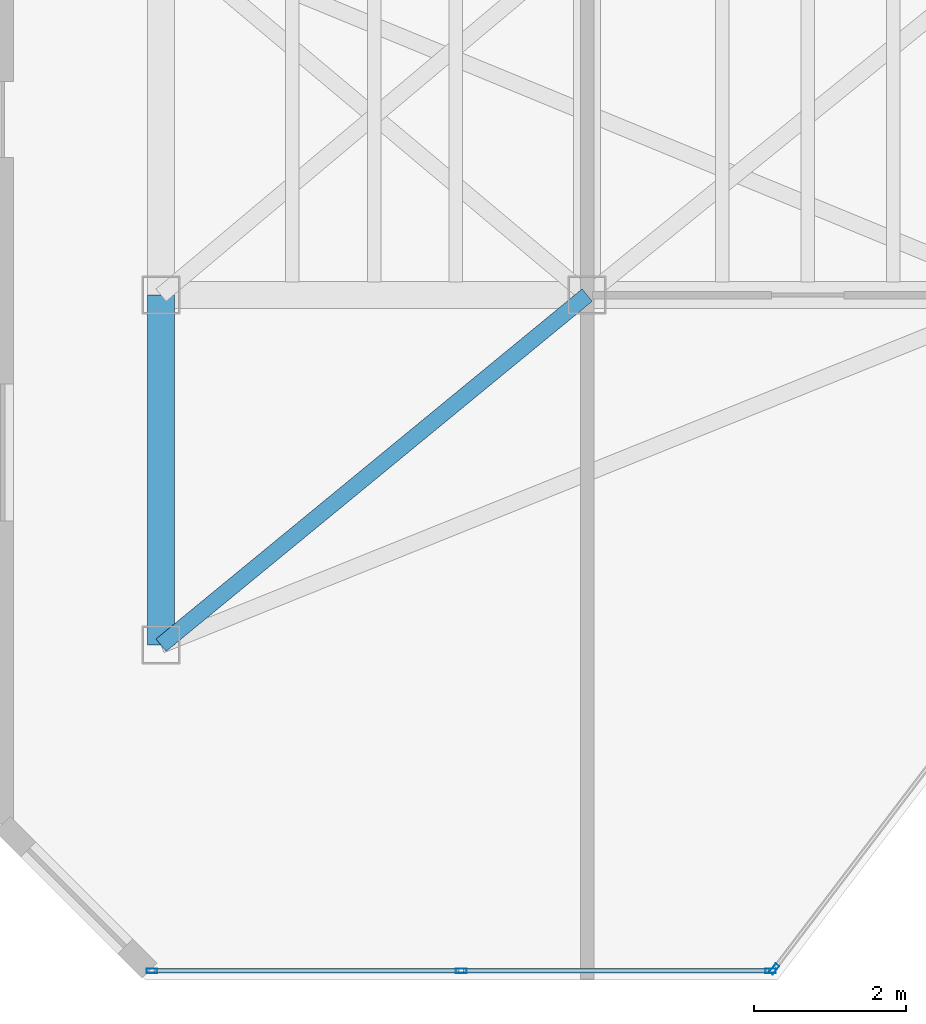
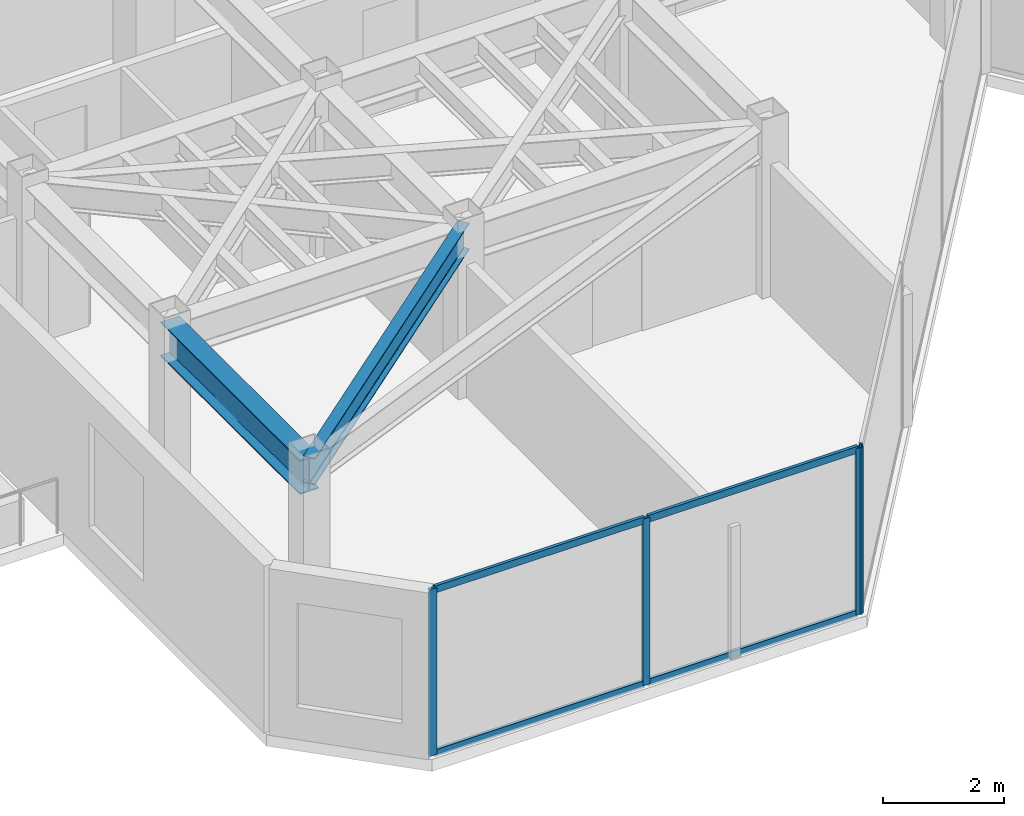
# One storey, part 2 of 17: 8 members, 2 beams, 2 elements without a shape of their own.
"""IFC4 building model written with IfcOpenShell, lengths in metres."""

from ifc_helpers import new_model, si_unit, direction, frame, origin, origin_2d, place, context, subcontext, project, spatial, hollow_rectangle, i_section, extrude, material, layer, layer_set, material_profile, profile_set, type_object, element, aggregate, save


model = new_model("IFC4")

# Units and contexts
model_context = context("Model", 3, precision=1e-05, world=origin(), true_north=direction((0.0, 1.0)))
body_context = subcontext(model_context, "Body", "Model", "MODEL_VIEW")
ifc_project = project(units=[si_unit("LENGTHUNIT", "METRE"), si_unit("AREAUNIT", "SQUARE_METRE"), si_unit("VOLUMEUNIT", "CUBIC_METRE"), si_unit("PLANEANGLEUNIT", "RADIAN"), si_unit("MASSUNIT", "GRAM", prefix="KILO")], contexts=[model_context])

# Site, building, storey
site_placement = place(None, origin())
site = spatial("IfcSite", under=ifc_project, at=site_placement, CompositionType="ELEMENT")
building_placement = place(site_placement, origin())
building = spatial("IfcBuilding", under=site, at=building_placement, Name="Kravanh Interchange Tower", CompositionType="ELEMENT")
storey_placement = place(building_placement, frame((0.0, 0.0, 256.199951171875)))
storey = spatial("IfcBuildingStorey", under=building, at=storey_placement, Name="L62", CompositionType="ELEMENT", Elevation=256.199951171875)

# Curtain wall, member
ifc_material_1 = material(Name="Anodised Bronze Aluminium", Category="aluminium")
ifc_layer = layer(ifc_material_1, 0.179931640625)
ifc_layer_set = layer_set([ifc_layer], Name="Unitised Curtain Wall System CW-HTL Luxury Hotel")
curtain_wall_type = type_object("IfcCurtainWallType", Name="Unitised Curtain Wall System CW-HTL Luxury Hotel", PredefinedType="NOTDEFINED", material=ifc_layer_set)
curtain_wall_1_placement = place(storey_placement, origin())
curtain_wall_1 = element("IfcCurtainWall", 1, at=curtain_wall_1_placement, inside=storey, type_object=curtain_wall_type, Name="L62 Unitised Curtain Wall CW-L62-04", PredefinedType="NOTDEFINED")
ifc_material_2 = material(Name="Anodised Bronze Aluminium", Category="aluminium")
ifc_material_profile_1 = material_profile(ifc_material_2, hollow_rectangle(XDim=0.06005859375, YDim=0.139892578125, WallThickness=0.00390625, at=origin_2d()), Name="ALU60X140X4")
ifc_profile_set_1 = profile_set([ifc_material_profile_1], Name="Anodised Bronze Aluminium")
member_type_1 = type_object("IfcMemberType", Name="Curtain Wall Mullion ALU60X140X4 Bronze", PredefinedType="MULLION", material=ifc_profile_set_1)
member_1_placement = place(storey_placement, frame((35.258544921875, 17.94384765625, 0.0), z_axis=(0.0, 0.0, 1.0), x_axis=(0.79616243806, -0.605082946564, 0.0)))
member_1 = element("IfcMember", 2, at=member_1_placement, type_object=member_type_1, Name="CW-HTL mullion 4", PredefinedType="MULLION", context=body_context, shape_type="SweptSolid", body=[
    extrude(hollow_rectangle(XDim=0.06005859375, YDim=0.139892578125, WallThickness=0.00390625, at=origin_2d()), origin(), (0.0, 0.0, 1.0), 3.360107421875),
])
aggregate(curtain_wall_1, [member_1])

# Curtain wall, members
curtain_wall_2_placement = place(storey_placement, origin())
curtain_wall_2 = element("IfcCurtainWall", 3, at=curtain_wall_2_placement, inside=storey, type_object=curtain_wall_type, Name="L62 Unitised Curtain Wall CW-L62-05", PredefinedType="NOTDEFINED")
member_2_placement = place(storey_placement, frame((35.21044921875, 17.919921875, 0.0), z_axis=(0.0, 0.0, 1.0), x_axis=(0.0, -1.0, 0.0)))
member_2 = element("IfcMember", 4, at=member_2_placement, type_object=member_type_1, Name="CW-HTL mullion 1", PredefinedType="MULLION", context=body_context, shape_type="SweptSolid", body=[
    extrude(hollow_rectangle(XDim=0.06005859375, YDim=0.139892578125, WallThickness=0.00390625, at=origin_2d()), origin(), (0.0, 0.0, 1.0), 3.360107421875),
])
member_3_placement = place(storey_placement, frame((31.14501953125, 17.919921875, 0.0), z_axis=(0.0, 0.0, 1.0), x_axis=(0.0, -1.0, 0.0)))
member_3 = element("IfcMember", 5, at=member_3_placement, type_object=member_type_1, Name="CW-HTL mullion 2", PredefinedType="MULLION", context=body_context, shape_type="SweptSolid", body=[
    extrude(hollow_rectangle(XDim=0.06005859375, YDim=0.139892578125, WallThickness=0.00390625, at=origin_2d()), origin(), (0.0, 0.0, 1.0), 3.360107421875),
])
member_4_placement = place(storey_placement, frame((27.07958984375, 17.919921875, 0.0), z_axis=(0.0, 0.0, 1.0), x_axis=(0.0, -1.0, 0.0)))
member_4 = element("IfcMember", 6, at=member_4_placement, type_object=member_type_1, Name="CW-HTL mullion 3", PredefinedType="MULLION", context=body_context, shape_type="SweptSolid", body=[
    extrude(hollow_rectangle(XDim=0.06005859375, YDim=0.139892578125, WallThickness=0.00390625, at=origin_2d()), origin(), (0.0, 0.0, 1.0), 3.360107421875),
])
ifc_material_3 = material(Name="Anodised Bronze Aluminium", Category="aluminium")
ifc_material_profile_2 = material_profile(ifc_material_3, hollow_rectangle(XDim=0.06005859375, YDim=0.139892578125, WallThickness=0.00390625, at=origin_2d()), Name="ALU60X140X4")
ifc_profile_set_2 = profile_set([ifc_material_profile_2], Name="Anodised Bronze Aluminium")
member_type_2 = type_object("IfcMemberType", Name="Curtain Wall Transom ALU60X140X4 Bronze", PredefinedType="USERDEFINED", material=ifc_profile_set_2)
member_5_placement = place(storey_placement, frame((35.180419921875, 17.919921875, 0.030029296875), z_axis=(-1.0, 0.0, 0.0), x_axis=(0.0, -1.0, 0.0)))
member_5 = element("IfcMember", 7, at=member_5_placement, type_object=member_type_2, Name="CW-HTL transom 1.1", ObjectType="TRANSOM", PredefinedType="USERDEFINED", context=body_context, shape_type="SweptSolid", body=[
    extrude(hollow_rectangle(XDim=0.06005859375, YDim=0.139892578125, WallThickness=0.00390625, at=origin_2d()), origin(), (0.0, 0.0, 1.0), 4.00537109375),
])
member_6_placement = place(storey_placement, frame((35.180419921875, 17.919921875, 3.330078125), z_axis=(-1.0, 0.0, 0.0), x_axis=(0.0, -1.0, 0.0)))
member_6 = element("IfcMember", 8, at=member_6_placement, type_object=member_type_2, Name="CW-HTL transom 1.2", ObjectType="TRANSOM", PredefinedType="USERDEFINED", context=body_context, shape_type="SweptSolid", body=[
    extrude(hollow_rectangle(XDim=0.06005859375, YDim=0.139892578125, WallThickness=0.00390625, at=origin_2d()), origin(), (0.0, 0.0, 1.0), 4.00537109375),
])
member_7_placement = place(storey_placement, frame((31.114990234375, 17.919921875, 0.030029296875), z_axis=(-1.0, 0.0, 0.0), x_axis=(0.0, -1.0, 0.0)))
member_7 = element("IfcMember", 9, at=member_7_placement, type_object=member_type_2, Name="CW-HTL transom 2.1", ObjectType="TRANSOM", PredefinedType="USERDEFINED", context=body_context, shape_type="SweptSolid", body=[
    extrude(hollow_rectangle(XDim=0.06005859375, YDim=0.139892578125, WallThickness=0.00390625, at=origin_2d()), origin(), (0.0, 0.0, 1.0), 4.00537109375),
])
member_8_placement = place(storey_placement, frame((31.114990234375, 17.919921875, 3.330078125), z_axis=(-1.0, 0.0, 0.0), x_axis=(0.0, -1.0, 0.0)))
member_8 = element("IfcMember", 10, at=member_8_placement, type_object=member_type_2, Name="CW-HTL transom 2.2", ObjectType="TRANSOM", PredefinedType="USERDEFINED", context=body_context, shape_type="SweptSolid", body=[
    extrude(hollow_rectangle(XDim=0.06005859375, YDim=0.139892578125, WallThickness=0.00390625, at=origin_2d()), origin(), (0.0, 0.0, 1.0), 4.00537109375),
])
aggregate(curtain_wall_2, [member_2, member_3, member_4, member_5, member_6, member_7, member_8])

# Beams
ifc_material_4 = material(Name="Structural Steel S355", Category="steel")
ifc_material_profile_3 = material_profile(ifc_material_4, i_section(OverallWidth=0.35498046875, OverallDepth=0.696044921875, WebThickness=0.015380859375, FlangeThickness=0.02490234375, FilletRadius=0.02392578125, at=origin_2d()), Name="W27X146")
ifc_profile_set_3 = profile_set([ifc_material_profile_3], Name="Structural Steel S355")
beam_type_1 = type_object("IfcBeamType", Name="Floor Beam W27X146 Structural Steel S355", PredefinedType="BEAM", material=ifc_profile_set_3)
beam_1_placement = place(storey_placement, frame((27.199951171875, 22.199951171875, 3.011962890625), z_axis=(0.0, 1.0, 0.0), x_axis=(-1.0, 0.0, 0.0)))
element("IfcBeam", 11, at=beam_1_placement, inside=storey, type_object=beam_type_1, Name="L62 Primary Floor Girder 40", PredefinedType="BEAM", context=body_context, shape_type="SweptSolid", body=[
    extrude(i_section(OverallWidth=0.35498046875, OverallDepth=0.696044921875, WebThickness=0.015380859375, FlangeThickness=0.02490234375, FilletRadius=0.02392578125, at=origin_2d()), origin(), (0.0, 0.0, 1.0), 4.60009765625),
])
ifc_material_5 = material(Name="Structural Steel S355", Category="steel")
ifc_material_profile_4 = material_profile(ifc_material_5, i_section(OverallWidth=0.2099609375, OverallDepth=0.537109375, WebThickness=0.010986328125, FlangeThickness=0.017333984375, FilletRadius=0.02001953125, at=origin_2d()), Name="W21X68")
ifc_profile_set_4 = profile_set([ifc_material_profile_4], Name="Structural Steel S355")
beam_type_2 = type_object("IfcBeamType", Name="Floor Spandrel W21X68 Structural Steel S355", PredefinedType="SPANDREL", material=ifc_profile_set_4)
beam_2_placement = place(storey_placement, frame((27.199951171875, 22.199951171875, 3.091552734375), z_axis=(0.772725074305, 0.634740860147, 0.0), x_axis=(-0.634740860147, 0.772725074305, 0.0)))
element("IfcBeam", 12, at=beam_2_placement, inside=storey, type_object=beam_type_2, Name="L62 Perimeter Spandrel 41", PredefinedType="SPANDREL", context=body_context, shape_type="SweptSolid", body=[
    extrude(i_section(OverallWidth=0.2099609375, OverallDepth=0.537109375, WebThickness=0.010986328125, FlangeThickness=0.017333984375, FilletRadius=0.02001953125, at=origin_2d()), origin(), (0.0, 0.0, 1.0), 7.247314453125),
])

save(model, "model.ifc")
